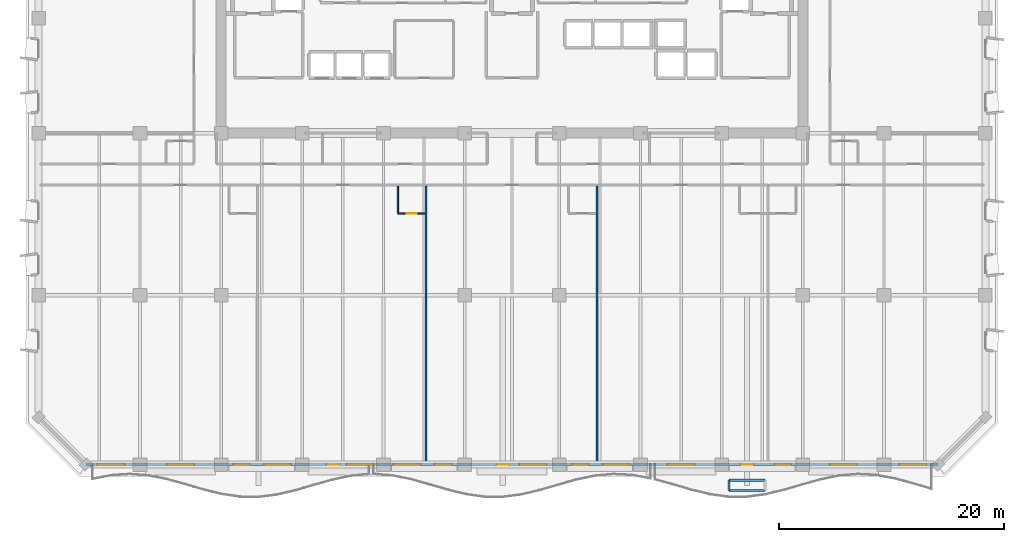
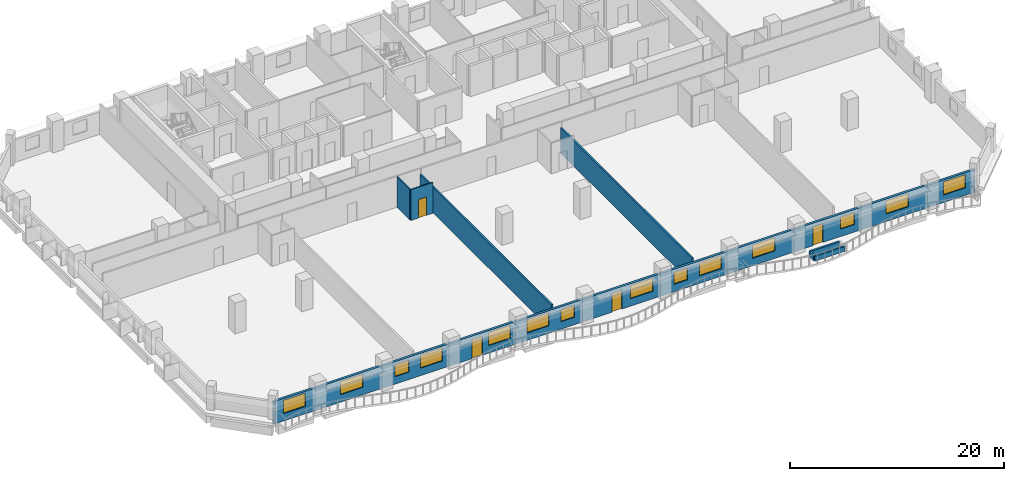
# One storey, part 5 of 14: 14 windows, 8 walls, 4 doors, 18 openings.
"""IFC4 building model written with IfcOpenShell, lengths in metres."""

from ifc_helpers import new_model, si_unit, direction, frame, frame_2d, origin, place, context, subcontext, project, spatial, rectangle, extrude, material, layer, layer_set, type_object, element, fill, save


model = new_model("IFC4")

# Units and contexts
model_context = context("Model", 3, precision=1e-05, world=origin(), true_north=direction((0.0, 1.0)))
body_context = subcontext(model_context, "Body", "Model", "MODEL_VIEW")
ifc_project = project(units=[si_unit("LENGTHUNIT", "METRE"), si_unit("AREAUNIT", "SQUARE_METRE"), si_unit("VOLUMEUNIT", "CUBIC_METRE"), si_unit("PLANEANGLEUNIT", "RADIAN"), si_unit("MASSUNIT", "GRAM", prefix="KILO")], contexts=[model_context])

# Site, building, storey
site_placement = place(None, origin())
site = spatial("IfcSite", under=ifc_project, at=site_placement, CompositionType="ELEMENT")
building_placement = place(site_placement, origin())
building = spatial("IfcBuilding", under=site, at=building_placement, Name="Kaelvorn Grand Hotel", CompositionType="ELEMENT")
storey_placement = place(building_placement, frame((0.0, 0.0, 119.300048828125)))
storey = spatial("IfcBuildingStorey", under=building, at=storey_placement, Name="L28", CompositionType="ELEMENT", Elevation=119.300048828125)

# Wall, openings, doors, windows
ifc_material_1 = material(Name="Concrete C40/50", Category="concrete")
ifc_layer_1 = layer(ifc_material_1, 0.260009765625)
ifc_layer_set_1 = layer_set([ifc_layer_1], Name="Concrete C40/50")
wall_type_1 = type_object("IfcWallType", Name="WL-EXT-260-C40", PredefinedType="SOLIDWALL", material=ifc_layer_set_1)
wall_1_placement = place(storey_placement, frame((4.199951171875, 0.0, 0.0), z_axis=(0.0, 0.0, 1.0), x_axis=(1.0, 0.0, 0.0)))
wall_1 = element("IfcWall", 1, at=wall_1_placement, inside=storey, type_object=wall_type_1, Name="L28 Exterior Architectural Concrete Wall 01", PredefinedType="SOLIDWALL", context=body_context, shape_type="SweptSolid", body=[
    extrude(rectangle(XDim=75.60009765625, YDim=0.260009765625, at=frame_2d((37.800048828125, 0.0))), origin(), (0.0, 0.0, 1.0), 2.56005859375),
])
opening_1_placement = place(wall_1_placement, frame((21.38330078125, 0.0, 0.0)))
opening_1 = element("IfcOpeningElement", 2, at=opening_1_placement, cuts=wall_1, Name="Opening DE2", PredefinedType="OPENING", context=body_context, shape_type="SweptSolid", body=[
    extrude(rectangle(XDim=1.10009765625, YDim=2.14990234375, at=frame_2d((0.550048828125, 1.074951171875))), frame((0.0, 0.14013671875, 0.0), z_axis=(0.0, -1.0, 0.0), x_axis=(1.0, 0.0, 0.0)), (0.0, 0.0, 1.0), 0.280029296875),
])
opening_2_placement = place(wall_1_placement, frame((36.43212890625, 0.0, 0.0)))
opening_2 = element("IfcOpeningElement", 3, at=opening_2_placement, cuts=wall_1, Name="Opening DE2", PredefinedType="OPENING", context=body_context, shape_type="SweptSolid", body=[
    extrude(rectangle(XDim=1.10009765625, YDim=2.14990234375, at=frame_2d((0.550048828125, 1.074951171875))), frame((0.0, 0.14013671875, 0.0), z_axis=(0.0, -1.0, 0.0), x_axis=(1.0, 0.0, 0.0)), (0.0, 0.0, 1.0), 0.280029296875),
])
opening_3_placement = place(wall_1_placement, frame((58.094482421875, 0.0, 0.0)))
opening_3 = element("IfcOpeningElement", 4, at=opening_3_placement, cuts=wall_1, Name="Opening DE2", PredefinedType="OPENING", context=body_context, shape_type="SweptSolid", body=[
    extrude(rectangle(XDim=1.10009765625, YDim=2.14990234375, at=frame_2d((0.550048828125, 1.074951171875))), frame((0.0, 0.14013671875, 0.0), z_axis=(0.0, -1.0, 0.0), x_axis=(1.0, 0.0, 0.0)), (0.0, 0.0, 1.0), 0.280029296875),
])
opening_4_placement = place(wall_1_placement, frame((1.034912109375, 0.0, 0.85009765625)))
opening_4 = element("IfcOpeningElement", 5, at=opening_4_placement, cuts=wall_1, Name="Opening W6", PredefinedType="OPENING", context=body_context, shape_type="SweptSolid", body=[
    extrude(rectangle(XDim=2.39990234375, YDim=1.5, at=frame_2d((1.199951171875, 0.75))), frame((0.0, 0.14013671875, 0.0), z_axis=(0.0, -1.0, 0.0), x_axis=(1.0, 0.0, 0.0)), (0.0, 0.0, 1.0), 0.280029296875),
])
opening_5_placement = place(wall_1_placement, frame((7.199951171875, 0.0, 0.85009765625)))
opening_5 = element("IfcOpeningElement", 6, at=opening_5_placement, cuts=wall_1, Name="Opening W6", PredefinedType="OPENING", context=body_context, shape_type="SweptSolid", body=[
    extrude(rectangle(XDim=2.39990234375, YDim=1.5, at=frame_2d((1.199951171875, 0.75))), frame((0.0, 0.14013671875, 0.0), z_axis=(0.0, -1.0, 0.0), x_axis=(1.0, 0.0, 0.0)), (0.0, 0.0, 1.0), 0.280029296875),
])
opening_6_placement = place(wall_1_placement, frame((13.054931640625, 0.0, 0.85009765625)))
opening_6 = element("IfcOpeningElement", 7, at=opening_6_placement, cuts=wall_1, Name="Opening W10", PredefinedType="OPENING", context=body_context, shape_type="SweptSolid", body=[
    extrude(rectangle(XDim=1.5, YDim=1.39990234375, at=frame_2d((0.75, 0.699951171875))), frame((0.0, 0.14013671875, 0.0), z_axis=(0.0, -1.0, 0.0), x_axis=(1.0, 0.0, 0.0)), (0.0, 0.0, 1.0), 0.280029296875),
])
opening_7_placement = place(wall_1_placement, frame((15.804931640625, 0.0, 0.85009765625)))
opening_7 = element("IfcOpeningElement", 8, at=opening_7_placement, cuts=wall_1, Name="Opening W6", PredefinedType="OPENING", context=body_context, shape_type="SweptSolid", body=[
    extrude(rectangle(XDim=2.39990234375, YDim=1.5, at=frame_2d((1.199951171875, 0.75))), frame((0.0, 0.14013671875, 0.0), z_axis=(0.0, -1.0, 0.0), x_axis=(1.0, 0.0, 0.0)), (0.0, 0.0, 1.0), 0.280029296875),
])
opening_8_placement = place(wall_1_placement, frame((23.126708984375, 0.0, 0.85009765625)))
opening_8 = element("IfcOpeningElement", 9, at=opening_8_placement, cuts=wall_1, Name="Opening W6", PredefinedType="OPENING", context=body_context, shape_type="SweptSolid", body=[
    extrude(rectangle(XDim=2.39990234375, YDim=1.5, at=frame_2d((1.199951171875, 0.75))), frame((0.0, 0.14013671875, 0.0), z_axis=(0.0, -1.0, 0.0), x_axis=(1.0, 0.0, 0.0)), (0.0, 0.0, 1.0), 0.280029296875),
])
opening_9_placement = place(wall_1_placement, frame((27.284912109375, 0.0, 0.85009765625)))
opening_9 = element("IfcOpeningElement", 10, at=opening_9_placement, cuts=wall_1, Name="Opening W6", PredefinedType="OPENING", context=body_context, shape_type="SweptSolid", body=[
    extrude(rectangle(XDim=2.39990234375, YDim=1.5, at=frame_2d((1.199951171875, 0.75))), frame((0.0, 0.14013671875, 0.0), z_axis=(0.0, -1.0, 0.0), x_axis=(1.0, 0.0, 0.0)), (0.0, 0.0, 1.0), 0.280029296875),
])
opening_10_placement = place(wall_1_placement, frame((30.93505859375, 0.0, 0.85009765625)))
opening_10 = element("IfcOpeningElement", 11, at=opening_10_placement, cuts=wall_1, Name="Opening W10", PredefinedType="OPENING", context=body_context, shape_type="SweptSolid", body=[
    extrude(rectangle(XDim=1.5, YDim=1.39990234375, at=frame_2d((0.75, 0.699951171875))), frame((0.0, 0.14013671875, 0.0), z_axis=(0.0, -1.0, 0.0), x_axis=(1.0, 0.0, 0.0)), (0.0, 0.0, 1.0), 0.280029296875),
])
opening_11_placement = place(wall_1_placement, frame((38.451171875, 0.0, 0.85009765625)))
opening_11 = element("IfcOpeningElement", 12, at=opening_11_placement, cuts=wall_1, Name="Opening W6", PredefinedType="OPENING", context=body_context, shape_type="SweptSolid", body=[
    extrude(rectangle(XDim=2.39990234375, YDim=1.5, at=frame_2d((1.199951171875, 0.75))), frame((0.0, 0.14013671875, 0.0), z_axis=(0.0, -1.0, 0.0), x_axis=(1.0, 0.0, 0.0)), (0.0, 0.0, 1.0), 0.280029296875),
])
opening_12_placement = place(wall_1_placement, frame((43.114990234375, 0.0, 0.85009765625)))
opening_12 = element("IfcOpeningElement", 13, at=opening_12_placement, cuts=wall_1, Name="Opening W10", PredefinedType="OPENING", context=body_context, shape_type="SweptSolid", body=[
    extrude(rectangle(XDim=1.5, YDim=1.39990234375, at=frame_2d((0.75, 0.699951171875))), frame((0.0, 0.14013671875, 0.0), z_axis=(0.0, -1.0, 0.0), x_axis=(1.0, 0.0, 0.0)), (0.0, 0.0, 1.0), 0.280029296875),
])
opening_13_placement = place(wall_1_placement, frame((45.864990234375, 0.0, 0.85009765625)))
opening_13 = element("IfcOpeningElement", 14, at=opening_13_placement, cuts=wall_1, Name="Opening W6", PredefinedType="OPENING", context=body_context, shape_type="SweptSolid", body=[
    extrude(rectangle(XDim=2.39990234375, YDim=1.5, at=frame_2d((1.199951171875, 0.75))), frame((0.0, 0.14013671875, 0.0), z_axis=(0.0, -1.0, 0.0), x_axis=(1.0, 0.0, 0.0)), (0.0, 0.0, 1.0), 0.280029296875),
])
opening_14_placement = place(wall_1_placement, frame((51.60009765625, 0.0, 0.85009765625)))
opening_14 = element("IfcOpeningElement", 15, at=opening_14_placement, cuts=wall_1, Name="Opening W6", PredefinedType="OPENING", context=body_context, shape_type="SweptSolid", body=[
    extrude(rectangle(XDim=2.39990234375, YDim=1.5, at=frame_2d((1.199951171875, 0.75))), frame((0.0, 0.14013671875, 0.0), z_axis=(0.0, -1.0, 0.0), x_axis=(1.0, 0.0, 0.0)), (0.0, 0.0, 1.0), 0.280029296875),
])
opening_15_placement = place(wall_1_placement, frame((61.095458984375, 0.0, 0.85009765625)))
opening_15 = element("IfcOpeningElement", 16, at=opening_15_placement, cuts=wall_1, Name="Opening W10", PredefinedType="OPENING", context=body_context, shape_type="SweptSolid", body=[
    extrude(rectangle(XDim=1.5, YDim=1.39990234375, at=frame_2d((0.75, 0.699951171875))), frame((0.0, 0.14013671875, 0.0), z_axis=(0.0, -1.0, 0.0), x_axis=(1.0, 0.0, 0.0)), (0.0, 0.0, 1.0), 0.280029296875),
])
opening_16_placement = place(wall_1_placement, frame((66.0, 0.0, 0.85009765625)))
opening_16 = element("IfcOpeningElement", 17, at=opening_16_placement, cuts=wall_1, Name="Opening W6", PredefinedType="OPENING", context=body_context, shape_type="SweptSolid", body=[
    extrude(rectangle(XDim=2.39990234375, YDim=1.5, at=frame_2d((1.199951171875, 0.75))), frame((0.0, 0.14013671875, 0.0), z_axis=(0.0, -1.0, 0.0), x_axis=(1.0, 0.0, 0.0)), (0.0, 0.0, 1.0), 0.280029296875),
])
opening_17_placement = place(wall_1_placement, frame((72.1650390625, 0.0, 0.85009765625)))
opening_17 = element("IfcOpeningElement", 18, at=opening_17_placement, cuts=wall_1, Name="Opening W6", PredefinedType="OPENING", context=body_context, shape_type="SweptSolid", body=[
    extrude(rectangle(XDim=2.39990234375, YDim=1.5, at=frame_2d((1.199951171875, 0.75))), frame((0.0, 0.14013671875, 0.0), z_axis=(0.0, -1.0, 0.0), x_axis=(1.0, 0.0, 0.0)), (0.0, 0.0, 1.0), 0.280029296875),
])
ifc_material_2 = material(Name="Anodised Aluminium", Category="aluminium")
door_type_1 = type_object("IfcDoorType", Name="DR-EXT-BALC-1100x2150", OperationType="NOTDEFINED", PredefinedType="DOOR", material=ifc_material_2)
door_1_placement = place(opening_1_placement, origin())
door_1 = element("IfcDoor", 19, at=door_1_placement, inside=storey, type_object=door_type_1, Name="L28 Scalloped Balcony Glazed Door DE2-1", OperationType="SINGLE_SWING_RIGHT", OverallHeight=2.14990234375, OverallWidth=1.10009765625, PredefinedType="DOOR", context=body_context, shape_type="SweptSolid", body=[
    extrude(rectangle(XDim=1.10009765625, YDim=2.14990234375, at=frame_2d((0.550048828125, 1.074951171875))), frame((0.0, 0.02490234375, 0.0), z_axis=(0.0, -1.0, 0.0), x_axis=(1.0, 0.0, 0.0)), (0.0, 0.0, 1.0), 0.050048828125),
])
fill(opening_1, door_1)
door_2_placement = place(opening_2_placement, origin())
door_2 = element("IfcDoor", 20, at=door_2_placement, inside=storey, type_object=door_type_1, Name="L28 Scalloped Balcony Glazed Door DE2-2", OperationType="SINGLE_SWING_LEFT", OverallHeight=2.14990234375, OverallWidth=1.10009765625, PredefinedType="DOOR", context=body_context, shape_type="SweptSolid", body=[
    extrude(rectangle(XDim=1.10009765625, YDim=2.14990234375, at=frame_2d((0.550048828125, 1.074951171875))), frame((0.0, 0.02490234375, 0.0), z_axis=(0.0, -1.0, 0.0), x_axis=(1.0, 0.0, 0.0)), (0.0, 0.0, 1.0), 0.050048828125),
])
fill(opening_2, door_2)
door_3_placement = place(opening_3_placement, origin())
door_3 = element("IfcDoor", 21, at=door_3_placement, inside=storey, type_object=door_type_1, Name="L28 Scalloped Balcony Glazed Door DE2-3", OperationType="SINGLE_SWING_RIGHT", OverallHeight=2.14990234375, OverallWidth=1.10009765625, PredefinedType="DOOR", context=body_context, shape_type="SweptSolid", body=[
    extrude(rectangle(XDim=1.10009765625, YDim=2.14990234375, at=frame_2d((0.550048828125, 1.074951171875))), frame((0.0, 0.02490234375, 0.0), z_axis=(0.0, -1.0, 0.0), x_axis=(1.0, 0.0, 0.0)), (0.0, 0.0, 1.0), 0.050048828125),
])
fill(opening_3, door_3)
ifc_material_3 = material(Name="Laminated Low-E Glass", Category="glass")
window_type_1 = type_object("IfcWindowType", Name="WIN-COR-1500x1400", PartitioningType="SINGLE_PANEL", PredefinedType="WINDOW", material=ifc_material_3)
window_1_placement = place(opening_6_placement, origin())
window_1 = element("IfcWindow", 22, at=window_1_placement, inside=storey, type_object=window_type_1, Name="L28 South Guestroom Ribbon Window SR03", OverallHeight=1.39990234375, OverallWidth=1.5, PartitioningType="SINGLE_PANEL", PredefinedType="WINDOW", context=body_context, shape_type="SweptSolid", body=[
    extrude(rectangle(XDim=1.5, YDim=1.39990234375, at=frame_2d((0.75, 0.699951171875))), frame((0.0, 0.030029296875, 0.0), z_axis=(0.0, -1.0, 0.0), x_axis=(1.0, 0.0, 0.0)), (0.0, 0.0, 1.0), 0.06005859375),
])
fill(opening_6, window_1)
window_2_placement = place(opening_10_placement, origin())
window_2 = element("IfcWindow", 23, at=window_2_placement, inside=storey, type_object=window_type_1, Name="L28 South Guestroom Ribbon Window SR07", OverallHeight=1.39990234375, OverallWidth=1.5, PartitioningType="SINGLE_PANEL", PredefinedType="WINDOW", context=body_context, shape_type="SweptSolid", body=[
    extrude(rectangle(XDim=1.5, YDim=1.39990234375, at=frame_2d((0.75, 0.699951171875))), frame((0.0, 0.030029296875, 0.0), z_axis=(0.0, -1.0, 0.0), x_axis=(1.0, 0.0, 0.0)), (0.0, 0.0, 1.0), 0.06005859375),
])
fill(opening_10, window_2)
window_3_placement = place(opening_12_placement, origin())
window_3 = element("IfcWindow", 24, at=window_3_placement, inside=storey, type_object=window_type_1, Name="L28 South Guestroom Ribbon Window SR09", OverallHeight=1.39990234375, OverallWidth=1.5, PartitioningType="SINGLE_PANEL", PredefinedType="WINDOW", context=body_context, shape_type="SweptSolid", body=[
    extrude(rectangle(XDim=1.5, YDim=1.39990234375, at=frame_2d((0.75, 0.699951171875))), frame((0.0, 0.030029296875, 0.0), z_axis=(0.0, -1.0, 0.0), x_axis=(1.0, 0.0, 0.0)), (0.0, 0.0, 1.0), 0.06005859375),
])
fill(opening_12, window_3)
window_4_placement = place(opening_15_placement, origin())
window_4 = element("IfcWindow", 25, at=window_4_placement, inside=storey, type_object=window_type_1, Name="L28 South Guestroom Ribbon Window SR12", OverallHeight=1.39990234375, OverallWidth=1.5, PartitioningType="SINGLE_PANEL", PredefinedType="WINDOW", context=body_context, shape_type="SweptSolid", body=[
    extrude(rectangle(XDim=1.5, YDim=1.39990234375, at=frame_2d((0.75, 0.699951171875))), frame((0.0, 0.030029296875, 0.0), z_axis=(0.0, -1.0, 0.0), x_axis=(1.0, 0.0, 0.0)), (0.0, 0.0, 1.0), 0.06005859375),
])
fill(opening_15, window_4)
window_type_2 = type_object("IfcWindowType", Name="WIN-NTH-2400x1500", PartitioningType="SINGLE_PANEL", PredefinedType="WINDOW", material=ifc_material_3)
window_5_placement = place(opening_4_placement, origin())
window_5 = element("IfcWindow", 26, at=window_5_placement, inside=storey, type_object=window_type_2, Name="L28 South Guestroom Ribbon Window SR01", OverallHeight=1.5, OverallWidth=2.39990234375, PartitioningType="SINGLE_PANEL", PredefinedType="WINDOW", context=body_context, shape_type="SweptSolid", body=[
    extrude(rectangle(XDim=2.39990234375, YDim=1.5, at=frame_2d((1.199951171875, 0.75))), frame((0.0, 0.030029296875, 0.0), z_axis=(0.0, -1.0, 0.0), x_axis=(1.0, 0.0, 0.0)), (0.0, 0.0, 1.0), 0.06005859375),
])
fill(opening_4, window_5)
window_6_placement = place(opening_5_placement, origin())
window_6 = element("IfcWindow", 27, at=window_6_placement, inside=storey, type_object=window_type_2, Name="L28 South Guestroom Ribbon Window SR02", OverallHeight=1.5, OverallWidth=2.39990234375, PartitioningType="SINGLE_PANEL", PredefinedType="WINDOW", context=body_context, shape_type="SweptSolid", body=[
    extrude(rectangle(XDim=2.39990234375, YDim=1.5, at=frame_2d((1.199951171875, 0.75))), frame((0.0, 0.030029296875, 0.0), z_axis=(0.0, -1.0, 0.0), x_axis=(1.0, 0.0, 0.0)), (0.0, 0.0, 1.0), 0.06005859375),
])
fill(opening_5, window_6)
window_7_placement = place(opening_7_placement, origin())
window_7 = element("IfcWindow", 28, at=window_7_placement, inside=storey, type_object=window_type_2, Name="L28 South Guestroom Ribbon Window SR04", OverallHeight=1.5, OverallWidth=2.39990234375, PartitioningType="SINGLE_PANEL", PredefinedType="WINDOW", context=body_context, shape_type="SweptSolid", body=[
    extrude(rectangle(XDim=2.39990234375, YDim=1.5, at=frame_2d((1.199951171875, 0.75))), frame((0.0, 0.030029296875, 0.0), z_axis=(0.0, -1.0, 0.0), x_axis=(1.0, 0.0, 0.0)), (0.0, 0.0, 1.0), 0.06005859375),
])
fill(opening_7, window_7)
window_8_placement = place(opening_8_placement, origin())
window_8 = element("IfcWindow", 29, at=window_8_placement, inside=storey, type_object=window_type_2, Name="L28 South Guestroom Ribbon Window SR05", OverallHeight=1.5, OverallWidth=2.39990234375, PartitioningType="SINGLE_PANEL", PredefinedType="WINDOW", context=body_context, shape_type="SweptSolid", body=[
    extrude(rectangle(XDim=2.39990234375, YDim=1.5, at=frame_2d((1.199951171875, 0.75))), frame((0.0, 0.030029296875, 0.0), z_axis=(0.0, -1.0, 0.0), x_axis=(1.0, 0.0, 0.0)), (0.0, 0.0, 1.0), 0.06005859375),
])
fill(opening_8, window_8)
window_9_placement = place(opening_9_placement, origin())
window_9 = element("IfcWindow", 30, at=window_9_placement, inside=storey, type_object=window_type_2, Name="L28 South Guestroom Ribbon Window SR06", OverallHeight=1.5, OverallWidth=2.39990234375, PartitioningType="SINGLE_PANEL", PredefinedType="WINDOW", context=body_context, shape_type="SweptSolid", body=[
    extrude(rectangle(XDim=2.39990234375, YDim=1.5, at=frame_2d((1.199951171875, 0.75))), frame((0.0, 0.030029296875, 0.0), z_axis=(0.0, -1.0, 0.0), x_axis=(1.0, 0.0, 0.0)), (0.0, 0.0, 1.0), 0.06005859375),
])
fill(opening_9, window_9)
window_10_placement = place(opening_11_placement, origin())
window_10 = element("IfcWindow", 31, at=window_10_placement, inside=storey, type_object=window_type_2, Name="L28 South Guestroom Ribbon Window SR08", OverallHeight=1.5, OverallWidth=2.39990234375, PartitioningType="SINGLE_PANEL", PredefinedType="WINDOW", context=body_context, shape_type="SweptSolid", body=[
    extrude(rectangle(XDim=2.39990234375, YDim=1.5, at=frame_2d((1.199951171875, 0.75))), frame((0.0, 0.030029296875, 0.0), z_axis=(0.0, -1.0, 0.0), x_axis=(1.0, 0.0, 0.0)), (0.0, 0.0, 1.0), 0.06005859375),
])
fill(opening_11, window_10)
window_11_placement = place(opening_13_placement, origin())
window_11 = element("IfcWindow", 32, at=window_11_placement, inside=storey, type_object=window_type_2, Name="L28 South Guestroom Ribbon Window SR10", OverallHeight=1.5, OverallWidth=2.39990234375, PartitioningType="SINGLE_PANEL", PredefinedType="WINDOW", context=body_context, shape_type="SweptSolid", body=[
    extrude(rectangle(XDim=2.39990234375, YDim=1.5, at=frame_2d((1.199951171875, 0.75))), frame((0.0, 0.030029296875, 0.0), z_axis=(0.0, -1.0, 0.0), x_axis=(1.0, 0.0, 0.0)), (0.0, 0.0, 1.0), 0.06005859375),
])
fill(opening_13, window_11)
window_12_placement = place(opening_14_placement, origin())
window_12 = element("IfcWindow", 33, at=window_12_placement, inside=storey, type_object=window_type_2, Name="L28 South Guestroom Ribbon Window SR11", OverallHeight=1.5, OverallWidth=2.39990234375, PartitioningType="SINGLE_PANEL", PredefinedType="WINDOW", context=body_context, shape_type="SweptSolid", body=[
    extrude(rectangle(XDim=2.39990234375, YDim=1.5, at=frame_2d((1.199951171875, 0.75))), frame((0.0, 0.030029296875, 0.0), z_axis=(0.0, -1.0, 0.0), x_axis=(1.0, 0.0, 0.0)), (0.0, 0.0, 1.0), 0.06005859375),
])
fill(opening_14, window_12)
window_13_placement = place(opening_16_placement, origin())
window_13 = element("IfcWindow", 34, at=window_13_placement, inside=storey, type_object=window_type_2, Name="L28 South Guestroom Ribbon Window SR13", OverallHeight=1.5, OverallWidth=2.39990234375, PartitioningType="SINGLE_PANEL", PredefinedType="WINDOW", context=body_context, shape_type="SweptSolid", body=[
    extrude(rectangle(XDim=2.39990234375, YDim=1.5, at=frame_2d((1.199951171875, 0.75))), frame((0.0, 0.030029296875, 0.0), z_axis=(0.0, -1.0, 0.0), x_axis=(1.0, 0.0, 0.0)), (0.0, 0.0, 1.0), 0.06005859375),
])
fill(opening_16, window_13)
window_14_placement = place(opening_17_placement, origin())
window_14 = element("IfcWindow", 35, at=window_14_placement, inside=storey, type_object=window_type_2, Name="L28 South Guestroom Ribbon Window SR14", OverallHeight=1.5, OverallWidth=2.39990234375, PartitioningType="SINGLE_PANEL", PredefinedType="WINDOW", context=body_context, shape_type="SweptSolid", body=[
    extrude(rectangle(XDim=2.39990234375, YDim=1.5, at=frame_2d((1.199951171875, 0.75))), frame((0.0, 0.030029296875, 0.0), z_axis=(0.0, -1.0, 0.0), x_axis=(1.0, 0.0, 0.0)), (0.0, 0.0, 1.0), 0.06005859375),
])
fill(opening_17, window_14)

# Wall, opening, door
ifc_material_4 = material(Name="Moisture-Resistant Tile & Stud Board")
ifc_layer_2 = layer(ifc_material_4, 0.125)
ifc_layer_set_2 = layer_set([ifc_layer_2], Name="Moisture-Resistant Tile & Stud Board")
wall_type_2 = type_object("IfcWallType", Name="WL-PART-125-WET", PredefinedType="PARTITIONING", material=ifc_layer_set_2)
wall_2_placement = place(storey_placement, frame((31.869384765625, 22.25, 0.0), z_axis=(0.0, 0.0, 1.0), x_axis=(1.0, 0.0, 0.0)))
wall_2 = element("IfcWall", 36, at=wall_2_placement, inside=storey, type_object=wall_type_2, Name="L28 En-suite Bathroom L28-02 S Partition", PredefinedType="PARTITIONING", context=body_context, shape_type="SweptSolid", body=[
    extrude(rectangle(XDim=2.405029296875, YDim=0.125, at=frame_2d((1.20263671875, 0.0))), origin(), (0.0, 0.0, 1.0), 3.510009765625),
])
opening_18_placement = place(wall_2_placement, frame((0.800048828125, 0.0, 0.0)))
opening_18 = element("IfcOpeningElement", 37, at=opening_18_placement, cuts=wall_2, Name="Opening DI4", PredefinedType="OPENING", context=body_context, shape_type="SweptSolid", body=[
    extrude(rectangle(XDim=0.89990234375, YDim=2.10009765625, at=frame_2d((0.449951171875, 1.050048828125))), frame((0.0, 0.072509765625, 0.0), z_axis=(0.0, -1.0, 0.0), x_axis=(1.0, 0.0, 0.0)), (0.0, 0.0, 1.0), 0.14501953125),
])
ifc_material_5 = material(Name="Timber Veneer Leaf", Category="wood")
door_type_2 = type_object("IfcDoorType", Name="DR-INT-BATH-900x2100", OperationType="NOTDEFINED", PredefinedType="DOOR", material=ifc_material_5)
door_4_placement = place(opening_18_placement, origin())
door_4 = element("IfcDoor", 38, at=door_4_placement, inside=storey, type_object=door_type_2, Name="L28 En-suite Bathroom L28-02 Door", OperationType="SINGLE_SWING_RIGHT", OverallHeight=2.10009765625, OverallWidth=0.89990234375, PredefinedType="DOOR", context=body_context, shape_type="SweptSolid", body=[
    extrude(rectangle(XDim=0.89990234375, YDim=2.10009765625, at=frame_2d((0.449951171875, 1.050048828125))), frame((0.0, 0.02490234375, 0.0), z_axis=(0.0, -1.0, 0.0), x_axis=(1.0, 0.0, 0.0)), (0.0, 0.0, 1.0), 0.050048828125),
])
fill(opening_18, door_4)

# Walls
wall_3_placement = place(storey_placement, frame((31.869384765625, 22.3173828125, 0.0), z_axis=(0.0, 0.0, 1.0), x_axis=(0.0, 1.0, 0.0)))
element("IfcWall", 39, at=wall_3_placement, inside=storey, type_object=wall_type_2, Name="L28 En-suite Bathroom L28-02 W Partition", PredefinedType="PARTITIONING", context=body_context, shape_type="SweptSolid", body=[
    extrude(rectangle(XDim=2.3876953125, YDim=0.125, at=frame_2d((1.19384765625, 0.0))), origin(), (0.0, 0.0, 1.0), 3.510009765625),
])
ifc_material_6 = material(Name="Acoustic Gypsum & Stud Partition")
ifc_layer_3 = layer(ifc_material_6, 0.179931640625)
ifc_layer_set_3 = layer_set([ifc_layer_3], Name="Acoustic Gypsum & Stud Partition")
wall_type_3 = type_object("IfcWallType", Name="WL-PART-180-EI60", PredefinedType="PARTITIONING", material=ifc_layer_set_3)
for number, where, z_axis, x_axis, name in (
    (40, (34.369384765625, 0.14990234375, 0.0), (0.0, 0.0, 1.0), (0.0, 1.0, 0.0), "L28 Presidential Sky Suite L28-02 E Partition"),
    (41, (49.530029296875, 0.14990234375, 0.0), (0.0, 0.0, 1.0), (0.0, 1.0, 0.0), "L28 Presidential Sky Suite L28-03 E Partition"),
):
    element("IfcWall", number, at=place(storey_placement, frame(where, z_axis=z_axis, x_axis=x_axis)), inside=storey, type_object=wall_type_3, Name=name, PredefinedType="PARTITIONING", context=body_context, shape_type="SweptSolid", body=[
        extrude(rectangle(XDim=24.55517578125, YDim=0.179931640625, at=frame_2d((12.277587890625, 0.0))), origin(), (0.0, 0.0, 1.0), 2.897705078125),
    ])
ifc_layer_4 = layer(ifc_material_1, 0.199951171875)
ifc_layer_set_4 = layer_set([ifc_layer_4], Name="Concrete C40/50")
wall_type_4 = type_object("IfcWallType", Name="WL-TREE-PLANTER-200", PredefinedType="PARAPET", material=ifc_layer_set_4)
for number, where, z_axis, x_axis, name in (
    (42, (61.244384765625, -2.300048828125, 0.0), (0.0, 0.0, 1.0), (1.0, 0.0, 0.0), "L28 Planted Balcony Structural TREE PLANTER Kerb 1-S"),
    (43, (64.4443359375, -1.39990234375, 0.0), (0.0, 0.0, 1.0), (-1.0, 0.0, 0.0), "L28 Planted Balcony Structural TREE PLANTER Kerb 1-N"),
):
    element("IfcWall", number, at=place(storey_placement, frame(where, z_axis=z_axis, x_axis=x_axis)), inside=storey, type_object=wall_type_4, Name=name, PredefinedType="PARAPET", context=body_context, shape_type="SweptSolid", body=[
        extrude(rectangle(XDim=3.199951171875, YDim=0.199951171875, at=frame_2d((1.60009765625, 0.0))), origin(), (0.0, 0.0, 1.0), 0.550048828125),
    ])
wall_4_placement = place(storey_placement, frame((61.244384765625, -1.39990234375, 0.0), z_axis=(0.0, 0.0, 1.0), x_axis=(0.0, -1.0, 0.0)))
element("IfcWall", 44, at=wall_4_placement, inside=storey, type_object=wall_type_4, Name="L28 Planted Balcony Structural TREE PLANTER Kerb 1-W", PredefinedType="PARAPET", context=body_context, shape_type="SweptSolid", body=[
    extrude(rectangle(XDim=0.900146484375, YDim=0.199951171875, at=frame_2d((0.4501953125, 0.0))), origin(), (0.0, 0.0, 1.0), 0.550048828125),
])

save(model, "model.ifc")
